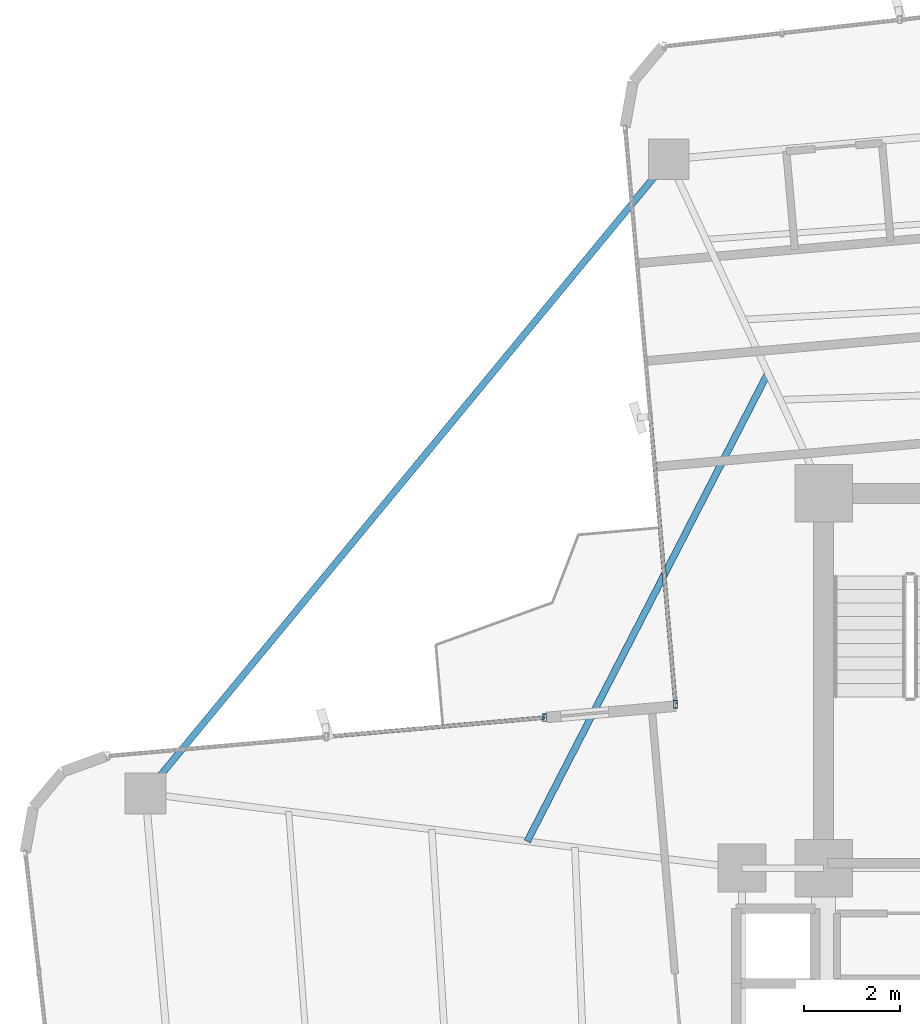
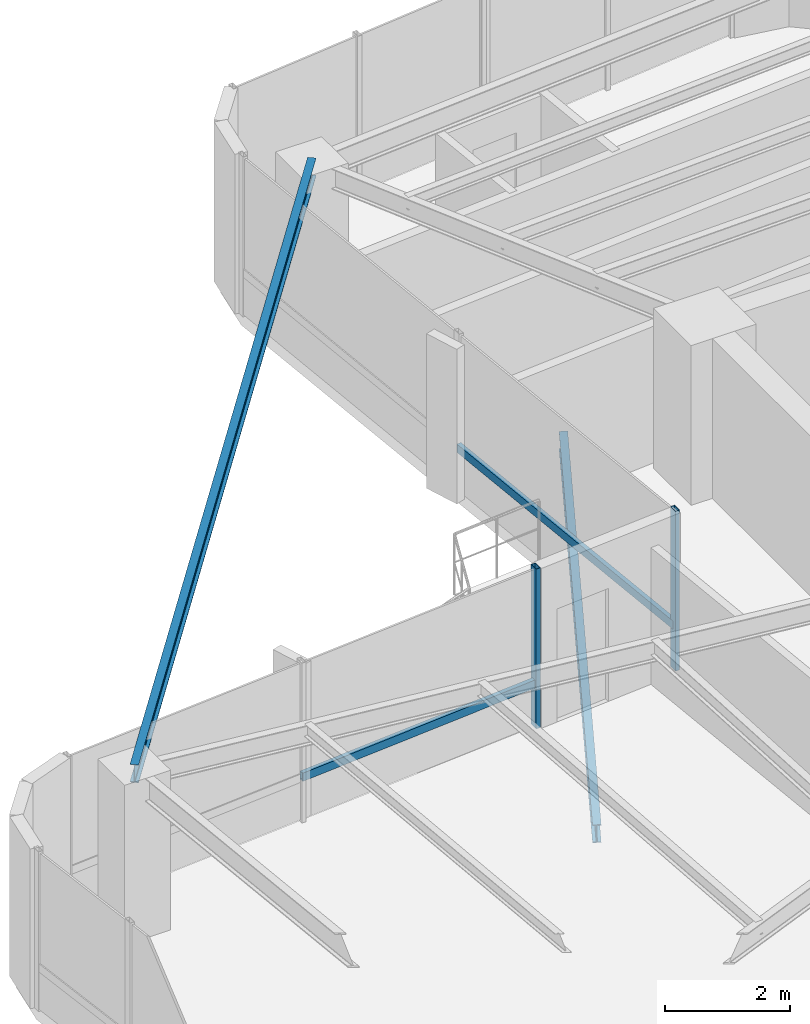
# One storey, part 10 of 24: 4 members, 2 beams, 2 elements without a shape of their own.
"""IFC4 building model written with IfcOpenShell, lengths in metres."""

from ifc_helpers import new_model, si_unit, direction, frame, origin, origin_2d, place, context, subcontext, project, spatial, hollow_rectangle, i_section, extrude, source, transform, mapped, material, material_profile, profile_set, type_object, element, aggregate, save


model = new_model("IFC4")

# Units and contexts
model_context = context("Model", 3, precision=1e-05, world=origin(), true_north=direction((0.0, 1.0)))
body_context = subcontext(model_context, "Body", "Model", "MODEL_VIEW")
ifc_project = project(units=[si_unit("LENGTHUNIT", "METRE"), si_unit("AREAUNIT", "SQUARE_METRE"), si_unit("VOLUMEUNIT", "CUBIC_METRE"), si_unit("PLANEANGLEUNIT", "RADIAN"), si_unit("MASSUNIT", "GRAM", prefix="KILO")], contexts=[model_context])

# Site, building, storey
site_placement = place(None, origin())
site = spatial("IfcSite", under=ifc_project, at=site_placement, CompositionType="ELEMENT")
building_placement = place(site_placement, origin())
building = spatial("IfcBuilding", under=site, at=building_placement, Name="Sahyath Konkavel Grand Hotel", CompositionType="ELEMENT")
storey_placement = place(building_placement, frame((0.0, 0.0, 164.0)))
storey = spatial("IfcBuildingStorey", under=building, at=storey_placement, Name="L45", CompositionType="ELEMENT", Elevation=164.0)

# Beam
ifc_material_1 = material(Name="Steel E350", Category="steel")
ifc_material_profile_1 = material_profile(ifc_material_1, i_section(OverallWidth=0.139892578125, OverallDepth=0.35009765625, WebThickness=0.008056640625, FlangeThickness=0.01416015625, FilletRadius=0.013916015625, at=origin_2d()), Name="ISMB 350")
ifc_profile_set_1 = profile_set([ifc_material_profile_1], Name="Steel E350")
beam_type_1 = type_object("IfcBeamType", Name="BM-ISMB350", PredefinedType="BEAM", material=ifc_profile_set_1)
shared_shape_1 = source(origin(), body_context, "Body", "SweptSolid", [
    extrude(i_section(OverallWidth=0.139892578125, OverallDepth=0.35009765625, WebThickness=0.008056640625, FlangeThickness=0.01416015625, FilletRadius=0.013916015625, at=origin_2d()), origin(), (0.0, 0.0, 1.0), 17.112548828125),
])
beam_1_placement = place(storey_placement, frame((-7.021728515625, 17.1533203125, 2.93505859375), z_axis=(-0.636437070092, -0.77132863023, 0.0), x_axis=(0.77132863023, -0.636437070092, 0.0)))
element("IfcBeam", 1, at=beam_1_placement, inside=storey, type_object=beam_type_1, Name="L45 Re-Entrant Tie Beam NW", PredefinedType="BEAM", context=body_context, shape_type="MappedRepresentation", body=[
    mapped(shared_shape_1, transform((0.0, 0.0, 0.0), scale=1.0)),
])

# Curtain wall, member
ifc_material_2 = material(Name="Anodised Bronze Aluminium & Low-E Glazing", Category="aluminium")
curtain_wall_type = type_object("IfcCurtainWallType", Name="CW-ZONE3", PredefinedType="NOTDEFINED", material=ifc_material_2)
curtain_wall_1_placement = place(storey_placement, origin())
curtain_wall_1 = element("IfcCurtainWall", 2, at=curtain_wall_1_placement, inside=storey, type_object=curtain_wall_type, Name="L45 Unitised Curtain Wall F15", PredefinedType="NOTDEFINED")
ifc_material_3 = material(Name="Anodised Bronze Aluminium", Category="aluminium")
ifc_material_profile_2 = material_profile(ifc_material_3, hollow_rectangle(XDim=0.080078125, YDim=0.159912109375, WallThickness=0.006103515625, at=origin_2d()), Name="RHS 160x80x6")
ifc_profile_set_2 = profile_set([ifc_material_profile_2], Name="Anodised Bronze Aluminium")
member_type_1 = type_object("IfcMemberType", Name="CW-MUL-160", PredefinedType="MULLION", material=ifc_profile_set_2)
shared_shape_2 = source(origin(), body_context, "Body", "SweptSolid", [
    extrude(hollow_rectangle(XDim=0.080078125, YDim=0.159912109375, WallThickness=0.006103515625, at=origin_2d()), origin(), (0.0, 0.0, 1.0), 3.110107421875),
])
member_1_placement = place(storey_placement, frame((-6.8828125, 5.812255859375, 0.0), z_axis=(0.0, 0.0, 1.0), x_axis=(1.0, 0.0, 0.0)))
member_1 = element("IfcMember", 3, at=member_1_placement, type_object=member_type_1, Name="L45 Curtain Wall Mullion F15-2", PredefinedType="MULLION", context=body_context, shape_type="MappedRepresentation", body=[
    mapped(shared_shape_2, transform((0.0, 0.0, 0.0), scale=1.0)),
])

# Curtain wall, members
curtain_wall_2_placement = place(storey_placement, origin())
curtain_wall_2 = element("IfcCurtainWall", 4, at=curtain_wall_2_placement, inside=storey, type_object=curtain_wall_type, Name="L45 Unitised Curtain Wall F16", PredefinedType="NOTDEFINED")
member_2_placement = place(storey_placement, frame((-9.60888671875, 5.53369140625, 0.0), z_axis=(0.0, 0.0, 1.0), x_axis=(1.0, 0.0, 0.0)))
member_2 = element("IfcMember", 5, at=member_2_placement, type_object=member_type_1, Name="L45 Curtain Wall Mullion F16-0", PredefinedType="MULLION", context=body_context, shape_type="MappedRepresentation", body=[
    mapped(shared_shape_2, transform((0.0, 0.0, 0.0), scale=1.0)),
])
ifc_material_profile_3 = material_profile(ifc_material_3, hollow_rectangle(XDim=0.080078125, YDim=0.159912109375, WallThickness=0.006103515625, at=origin_2d()), Name="RHS 160x80x6")
ifc_profile_set_3 = profile_set([ifc_material_profile_3], Name="Anodised Bronze Aluminium")
member_type_2 = type_object("IfcMemberType", Name="CW-TRN-160", PredefinedType="USERDEFINED", material=ifc_profile_set_3)
shared_shape_3 = source(origin(), body_context, "Body", "SweptSolid", [
    extrude(hollow_rectangle(XDim=0.080078125, YDim=0.159912109375, WallThickness=0.006103515625, at=origin_2d()), origin(), (0.0, 0.0, 1.0), 4.56005859375),
])
member_3_placement = place(storey_placement, frame((-9.60888671875, 5.53369140625, 0.85009765625), z_axis=(-0.996189590376, -0.087214104516, 0.0), x_axis=(0.087214104516, -0.996189590376, 0.0)))
member_3 = element("IfcMember", 6, at=member_3_placement, type_object=member_type_2, Name="L45 Curtain Wall Transom F16-0-spandrel", ObjectType="TRANSOM", PredefinedType="USERDEFINED", context=body_context, shape_type="MappedRepresentation", body=[
    mapped(shared_shape_3, transform((0.0, 0.0, 0.0), scale=1.0)),
])
aggregate(curtain_wall_2, [member_2, member_3])

# Member
shared_shape_4 = source(origin(), body_context, "Body", "SweptSolid", [
    extrude(hollow_rectangle(XDim=0.080078125, YDim=0.159912109375, WallThickness=0.006103515625, at=origin_2d()), origin(), (0.0, 0.0, 1.0), 6.010009765625),
])
member_4_placement = place(storey_placement, frame((-7.406494140625, 11.79931640625, 0.85009765625), z_axis=(0.087136210597, -0.996196406741, 0.0), x_axis=(0.996196406741, 0.087136210597, 0.0)))
member_4 = element("IfcMember", 7, at=member_4_placement, type_object=member_type_2, Name="L45 Curtain Wall Transom F15-1-spandrel", ObjectType="TRANSOM", PredefinedType="USERDEFINED", context=body_context, shape_type="MappedRepresentation", body=[
    mapped(shared_shape_4, transform((0.0, 0.0, 0.0), scale=1.0)),
])

aggregate(curtain_wall_1, [member_1, member_4])

# Beam
ifc_material_profile_4 = material_profile(ifc_material_1, i_section(OverallWidth=0.139892578125, OverallDepth=0.35009765625, WebThickness=0.008056640625, FlangeThickness=0.01416015625, FilletRadius=0.013916015625, at=origin_2d()), Name="ISMB 350")
ifc_profile_set_4 = profile_set([ifc_material_profile_4], Name="Steel E350")
beam_type_2 = type_object("IfcBeamType", Name="BM-BALC-CANT", PredefinedType="BEAM", material=ifc_profile_set_4)
shared_shape_5 = source(origin(), body_context, "Body", "SweptSolid", [
    extrude(i_section(OverallWidth=0.139892578125, OverallDepth=0.35009765625, WebThickness=0.008056640625, FlangeThickness=0.01416015625, FilletRadius=0.013916015625, at=origin_2d()), origin(), (0.0, 0.0, 1.0), 10.95556640625),
])
beam_2_placement = place(storey_placement, frame((-4.959716796875, 12.703125, -0.4150390625), z_axis=(-0.457186878355, -0.889370652912, 0.0), x_axis=(0.889370652912, -0.457186878355, 0.0)))
element("IfcBeam", 8, at=beam_2_placement, inside=storey, type_object=beam_type_2, Name="L45 Balcony Cantilever Support Beam NW", PredefinedType="BEAM", context=body_context, shape_type="MappedRepresentation", body=[
    mapped(shared_shape_5, transform((0.0, 0.0, 0.0), scale=1.0)),
])

save(model, "model.ifc")
